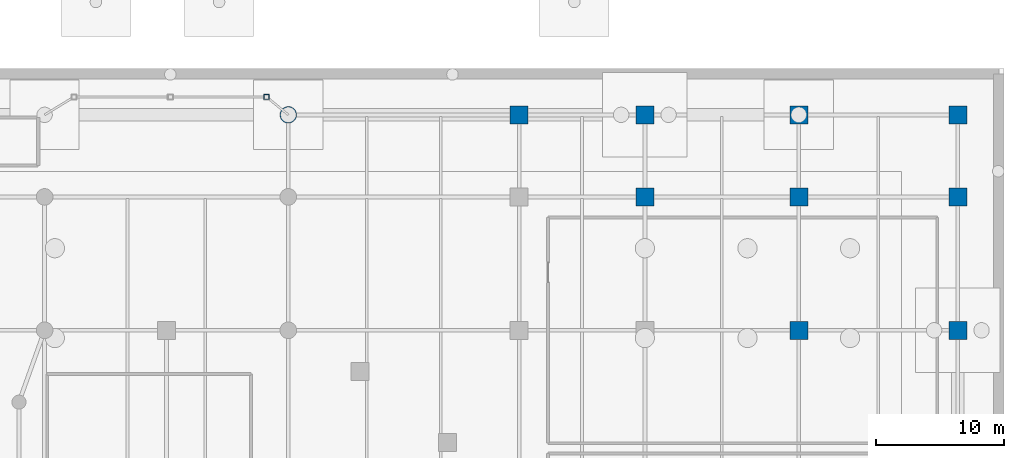
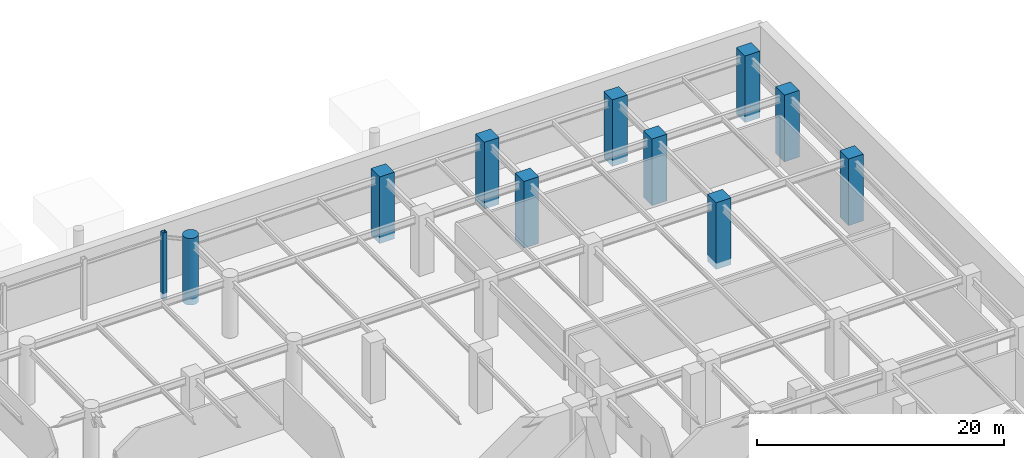
# One storey, part 11 of 37: 11 columns.
"""IFC4 building model written with IfcOpenShell, lengths in metres."""

import ifcopenshell
import ifcopenshell.guid

model = None  # the IFC model being written
_history = None  # IfcOwnerHistory: only IFC2X3 demands one
_inside = {}  # id of a spatial element -> (the spatial element, [elements in it])
_under = {}  # id of a project, library or spatial element -> (it, [spatial elements below it])
_declared = {}  # id of a project -> (the project, [libraries it declares])
_typed = {}  # id of a type object -> (the type object, [elements of that type])
_made_of = {}  # id of a material, layer set ... -> (it, [elements and type objects made of it])


def new_model(schema):
    """Start an empty IFC model of exactly this schema.

    Asked for "IFC4X3", IfcOpenShell would pick the latest addendum, in which some entities
    have other attributes; the version numbers below select the first issue.
    IFC2X3 requires an IfcOwnerHistory on every rooted entity: one is made here for all.
    """
    global model, _history
    if schema == "IFC4X3":
        model = ifcopenshell.file(schema_version=(4, 3, 0, 0))
    else:
        model = ifcopenshell.file(schema=schema)
    _inside.clear()
    _under.clear()
    _declared.clear()
    _typed.clear()
    _made_of.clear()
    _history = None
    if model.schema == "IFC2X3":
        org = make("IfcOrganization", Name="unknown")
        user = make(
            "IfcPersonAndOrganization",
            ThePerson=make("IfcPerson", FamilyName="unknown"),
            TheOrganization=org,
        )
        app = make(
            "IfcApplication",
            ApplicationDeveloper=org,
            Version="unknown",
            ApplicationFullName="unknown",
            ApplicationIdentifier="unknown",
        )
        _history = make(
            "IfcOwnerHistory",
            OwningUser=user,
            OwningApplication=app,
            ChangeAction="ADDED",
            CreationDate=0,
        )
    return model


def make(cls, **values):
    """One entity of the class cls with the attributes given. An attribute that is None is left unset."""
    return model.create_entity(
        cls, **{name: value for name, value in values.items() if value is not None}
    )


def rooted(cls, **values):
    """An entity with a GlobalId (a new one), such as an element, a storey or a relation."""
    return make(cls, GlobalId=ifcopenshell.guid.new(), OwnerHistory=_history, **values)


def si_unit(unit_type, name, prefix=None):
    """IfcSIUnit, for example si_unit("LENGTHUNIT", "METRE", prefix="MILLI")."""
    return make("IfcSIUnit", UnitType=unit_type, Prefix=prefix, Name=name)


def assignment(units):
    """IfcUnitAssignment: the units of a project."""
    return None if units is None else make("IfcUnitAssignment", Units=units)


def point(xyz):
    """IfcCartesianPoint."""
    return None if xyz is None else make("IfcCartesianPoint", Coordinates=xyz)


def direction(xyz):
    """IfcDirection."""
    return None if xyz is None else make("IfcDirection", DirectionRatios=xyz)


def frame(location, z_axis=None, x_axis=None):
    """IfcAxis2Placement3D, a coordinate frame: its origin and axes. An axis left out is left unset."""
    return make(
        "IfcAxis2Placement3D",
        Location=point(location),
        Axis=direction(z_axis),
        RefDirection=direction(x_axis),
    )


def frame_2d(location, x_axis=None):
    """IfcAxis2Placement2D, a coordinate frame in the plane: its origin and x axis."""
    return make(
        "IfcAxis2Placement2D", Location=point(location), RefDirection=direction(x_axis)
    )


def origin():
    """The frame at (0, 0, 0) with its axes left unset."""
    return frame((0.0, 0.0, 0.0))


def origin_2d():
    """The frame at (0, 0) in the plane with its x axis left unset."""
    return frame_2d((0.0, 0.0))


def place(relative_to, where):
    """IfcLocalPlacement: puts the frame where relative to a parent placement (None: the world)."""
    return make(
        "IfcLocalPlacement", PlacementRelTo=relative_to, RelativePlacement=where
    )


def context(
    kind, dimensions, precision=None, world=None, true_north=None, identifier=None
):
    """IfcGeometricRepresentationContext, for example the 3D "Model" context."""
    return make(
        "IfcGeometricRepresentationContext",
        ContextIdentifier=identifier,
        ContextType=kind,
        CoordinateSpaceDimension=dimensions,
        Precision=precision,
        WorldCoordinateSystem=world,
        TrueNorth=true_north,
    )


def subcontext(parent, identifier, kind, view, scale=None):
    """IfcGeometricRepresentationSubContext, for example "Body" below "Model"."""
    return make(
        "IfcGeometricRepresentationSubContext",
        ContextIdentifier=identifier,
        ContextType=kind,
        ParentContext=parent,
        TargetScale=scale,
        TargetView=view,
    )


def project(units=None, contexts=None):
    """IfcProject with its units and contexts."""
    return rooted(
        "IfcProject",
        Name="project",
        RepresentationContexts=contexts,
        UnitsInContext=assignment(units),
    )


def spatial(cls, under=None, at=None, **own):
    """A site, building, storey or space (cls), placed at a placement, below another one or the project."""
    s = rooted(cls, ObjectPlacement=at, **own)
    if under is not None:
        _under.setdefault(under.id(), (under, []))[1].append(s)
    return s


def profile(cls, at=None, kind="AREA", **sizes):
    """A parametric profile (cls). Its sizes go by their IFC names, for example OverallWidth=200.0."""
    return make(cls, ProfileType=kind, Position=at, **sizes)


def rectangle(**sizes):
    """IfcRectangleProfileDef."""
    return profile("IfcRectangleProfileDef", **sizes)


def hollow_rectangle(**sizes):
    """IfcRectangleHollowProfileDef."""
    return profile("IfcRectangleHollowProfileDef", **sizes)


def circle(**sizes):
    """IfcCircleProfileDef."""
    return profile("IfcCircleProfileDef", **sizes)


def extrude(swept, where, along, depth):
    """IfcExtrudedAreaSolid: the profile swept, set in the frame where, extruded along a direction by depth."""
    return make(
        "IfcExtrudedAreaSolid",
        SweptArea=swept,
        Position=where,
        ExtrudedDirection=direction(along),
        Depth=depth,
    )


def shape(context_of_items, identifier, shape_type, items):
    """IfcShapeRepresentation: the items that make up one representation, for example the "Body"."""
    return make(
        "IfcShapeRepresentation",
        ContextOfItems=context_of_items,
        RepresentationIdentifier=identifier,
        RepresentationType=shape_type,
        Items=items,
    )


def material(Name=None, Category=None):
    """IfcMaterial."""
    return make("IfcMaterial", Name=Name, Category=Category)


def material_profile(
    of_material, cross_section, Name=None, Category=None, Priority=None
):
    """IfcMaterialProfile: a cross section and its material."""
    return make(
        "IfcMaterialProfile",
        Name=Name,
        Material=of_material,
        Profile=cross_section,
        Priority=Priority,
        Category=Category,
    )


def profile_set(profiles, Name=None, composite=None):
    """IfcMaterialProfileSet."""
    return make(
        "IfcMaterialProfileSet",
        Name=Name,
        MaterialProfiles=profiles,
        CompositeProfile=composite,
    )


def made_of(thing, what):
    """Note that an element or type object is made of a material, layer set ...; save() writes the relation."""
    if what is not None:
        _made_of.setdefault(what.id(), (what, []))[1].append(thing)
    return thing


def type_object(cls, material=None, **own):
    """A type object (cls), such as IfcWallType, which elements share."""
    return made_of(rooted(cls, **own), material)


def element(
    cls,
    number,
    at=None,
    inside=None,
    cuts=None,
    type_object=None,
    material=None,
    context=None,
    identifier="Body",
    shape_type=None,
    held_by="IfcProductDefinitionShape",
    body=None,
    shapes=None,
    **own,
):
    """One element of the class cls, such as IfcWall. Its Tag is "e" and its number.

    at: its placement. inside: the storey or other place that contains it. cuts: it is an
    opening in that element (IfcRelVoidsElement). A single representation is given by context,
    identifier, shape_type and body (its items); several are given by shapes. held_by: the class
    of the entity that holds the representations. save() writes the other relations.
    """
    e = rooted(cls, Tag="e%d" % number, ObjectPlacement=at, **own)
    if body is not None:
        shapes = [shape(context, identifier, shape_type, body)]
    if shapes is not None:
        e.Representation = make(held_by, Representations=shapes)
    if inside is not None:
        _inside.setdefault(inside.id(), (inside, []))[1].append(e)
    if cuts is not None:
        rooted(
            "IfcRelVoidsElement", RelatingBuildingElement=cuts, RelatedOpeningElement=e
        )
    if type_object is not None:
        _typed.setdefault(type_object.id(), (type_object, []))[1].append(e)
    return made_of(e, material)


def aggregate(whole, parts):
    """IfcRelAggregates: a whole, such as a stair, and the parts it consists of."""
    return rooted("IfcRelAggregates", RelatingObject=whole, RelatedObjects=parts)


def save(model, path):
    """Write the relations noted so far, then the file.

    IfcRelAggregates (storeys below a building ...), IfcRelContainedInSpatialStructure (elements
    in a storey), IfcRelDefinesByType, IfcRelAssociatesMaterial and IfcRelDeclares: one each for
    every whole, place, type object, material and project.
    """
    for whole, parts in _under.values():
        aggregate(whole, parts)
    for where, things in _inside.values():
        rooted(
            "IfcRelContainedInSpatialStructure",
            RelatedElements=things,
            RelatingStructure=where,
        )
    for kind, things in _typed.values():
        rooted("IfcRelDefinesByType", RelatedObjects=things, RelatingType=kind)
    for what, things in _made_of.values():
        rooted("IfcRelAssociatesMaterial", RelatedObjects=things, RelatingMaterial=what)
    for by, libraries in _declared.values():
        rooted("IfcRelDeclares", RelatingContext=by, RelatedDefinitions=libraries)
    model.write(path)


model = new_model("IFC4")

# Units and contexts
model_context = context("Model", 3, precision=1e-05, world=origin(), true_north=direction((0.0, 1.0)))
body_context = subcontext(model_context, "Body", "Model", "MODEL_VIEW")
ifc_project = project(units=[si_unit("LENGTHUNIT", "METRE"), si_unit("AREAUNIT", "SQUARE_METRE"), si_unit("VOLUMEUNIT", "CUBIC_METRE"), si_unit("PLANEANGLEUNIT", "RADIAN"), si_unit("MASSUNIT", "GRAM", prefix="KILO")], contexts=[model_context])

# Site, building, storey
site_placement = place(None, origin())
site = spatial("IfcSite", under=ifc_project, at=site_placement, CompositionType="ELEMENT")
building_placement = place(site_placement, origin())
building = spatial("IfcBuilding", under=site, at=building_placement, Name="Narakoshi Arena Tower", CompositionType="ELEMENT")
storey_placement = place(building_placement, frame((0.0, 0.0, -6.0)))
storey = spatial("IfcBuildingStorey", under=building, at=storey_placement, Name="B01", CompositionType="ELEMENT", Elevation=-6.0)

# Columns
ifc_material_1 = material(Name="Concrete C60/75", Category="concrete")
ifc_material_profile_1 = material_profile(ifc_material_1, circle(Radius=0.64990234375, at=origin_2d()), Name="RCC1300")
ifc_profile_set_1 = profile_set([ifc_material_profile_1], Name="Concrete C60/75")
column_type_1 = type_object("IfcColumnType", Name="COL-CIR1300", PredefinedType="PILASTER", material=ifc_profile_set_1)
column_1_placement = place(storey_placement, frame((70.199951171875, 92.39990234375, -0.60009765625), z_axis=(0.0, 0.0, 1.0), x_axis=(1.0, 0.0, 0.0)))
element("IfcColumn", 1, at=column_1_placement, inside=storey, type_object=column_type_1, Name="B01 Podium Column PC41", PredefinedType="PILASTER", context=body_context, shape_type="SweptSolid", body=[
    extrude(circle(Radius=0.64990234375, at=origin_2d()), origin(), (0.0, 0.0, 1.0), 6.60009765625),
])
ifc_material_profile_2 = material_profile(ifc_material_1, rectangle(XDim=1.39990234375, YDim=1.39990234375, at=origin_2d()), Name="RC1400x1400")
ifc_profile_set_2 = profile_set([ifc_material_profile_2], Name="Concrete C60/75")
column_type_2 = type_object("IfcColumnType", Name="COL-RC1400", PredefinedType="COLUMN", material=ifc_profile_set_2)
for number, where, z_axis, x_axis, name in (
    (2, (88.199951171875, 92.39990234375, -0.60009765625), (0.0, 0.0, 1.0), (1.0, 0.0, 0.0), "B01 Podium Column PC50"),
    (3, (98.0, 86.0, -0.60009765625), (0.0, 0.0, 1.0), (1.0, 0.0, 0.0), "B01 Podium Column PC58"),
    (4, (98.0, 92.39990234375, -0.60009765625), (0.0, 0.0, 1.0), (1.0, 0.0, 0.0), "B01 Podium Column PC59"),
    (5, (110.0, 75.60009765625, -0.60009765625), (0.0, 0.0, 1.0), (1.0, 0.0, 0.0), "B01 Podium Column PC66"),
    (6, (110.0, 86.0, -0.60009765625), (0.0, 0.0, 1.0), (1.0, 0.0, 0.0), "B01 Podium Column PC67"),
    (7, (110.0, 92.39990234375, -0.60009765625), (0.0, 0.0, 1.0), (1.0, 0.0, 0.0), "B01 Podium Column PC68"),
    (8, (122.39990234375, 75.60009765625, -0.60009765625), (0.0, 0.0, 1.0), (1.0, 0.0, 0.0), "B01 Podium Column PC75"),
    (9, (122.39990234375, 86.0, -0.60009765625), (0.0, 0.0, 1.0), (1.0, 0.0, 0.0), "B01 Podium Column PC76"),
    (10, (122.39990234375, 92.39990234375, -0.60009765625), (0.0, 0.0, 1.0), (1.0, 0.0, 0.0), "B01 Podium Column PC77"),
):
    element("IfcColumn", number, at=place(storey_placement, frame(where, z_axis=z_axis, x_axis=x_axis)), inside=storey, type_object=column_type_2, Name=name, PredefinedType="COLUMN", context=body_context, shape_type="SweptSolid", body=[
        extrude(rectangle(XDim=1.39990234375, YDim=1.39990234375, at=origin_2d()), origin(), (0.0, 0.0, 1.0), 6.60009765625),
    ])
ifc_material_2 = material(Name="Structural steel S355J2", Category="steel")
ifc_material_profile_3 = material_profile(ifc_material_2, hollow_rectangle(XDim=0.39990234375, YDim=0.39990234375, WallThickness=0.02001953125, OuterFilletRadius=0.0400390625, at=origin_2d()), Name="SHS400x400x20")
ifc_profile_set_3 = profile_set([ifc_material_profile_3], Name="Structural steel S355J2")
column_type_3 = type_object("IfcColumnType", Name="COL-SHS400", PredefinedType="COLUMN", material=ifc_profile_set_3)
column_2_placement = place(storey_placement, frame((68.5, 93.800048828125, -0.60009765625), z_axis=(0.0, 0.0, 1.0), x_axis=(1.0, 0.0, 0.0)))
element("IfcColumn", 11, at=column_2_placement, inside=storey, type_object=column_type_3, Name="B01 Concourse Canopy Column CAN06", PredefinedType="COLUMN", context=body_context, shape_type="SweptSolid", body=[
    extrude(hollow_rectangle(XDim=0.39990234375, YDim=0.39990234375, WallThickness=0.02001953125, OuterFilletRadius=0.0400390625, at=origin_2d()), origin(), (0.0, 0.0, 1.0), 6.60009765625),
])

save(model, "model.ifc")
